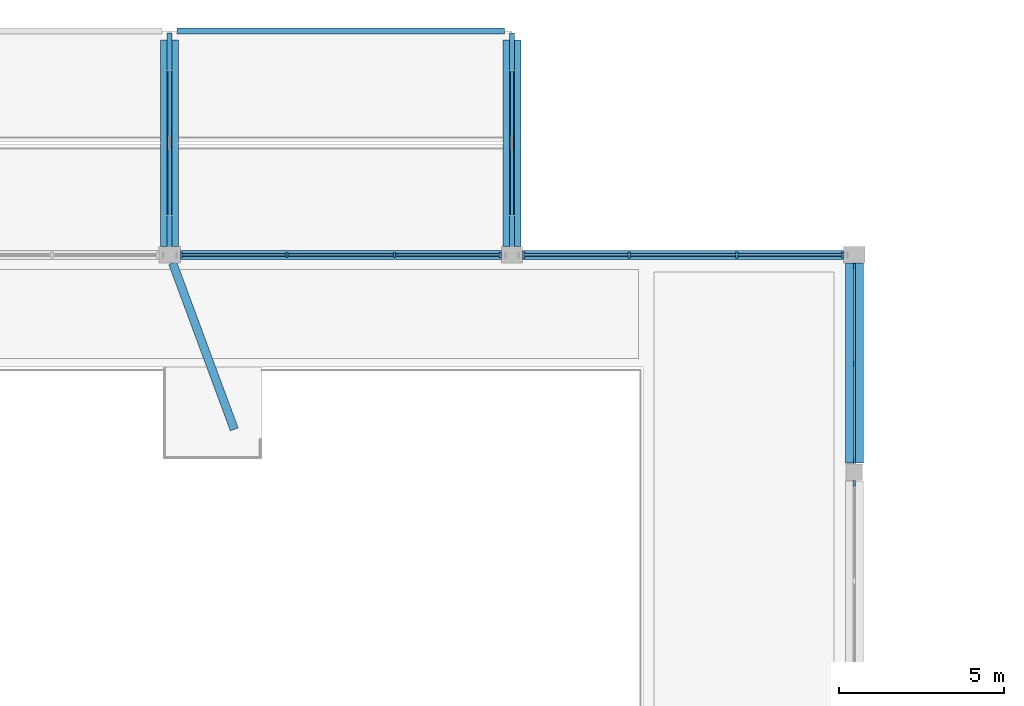
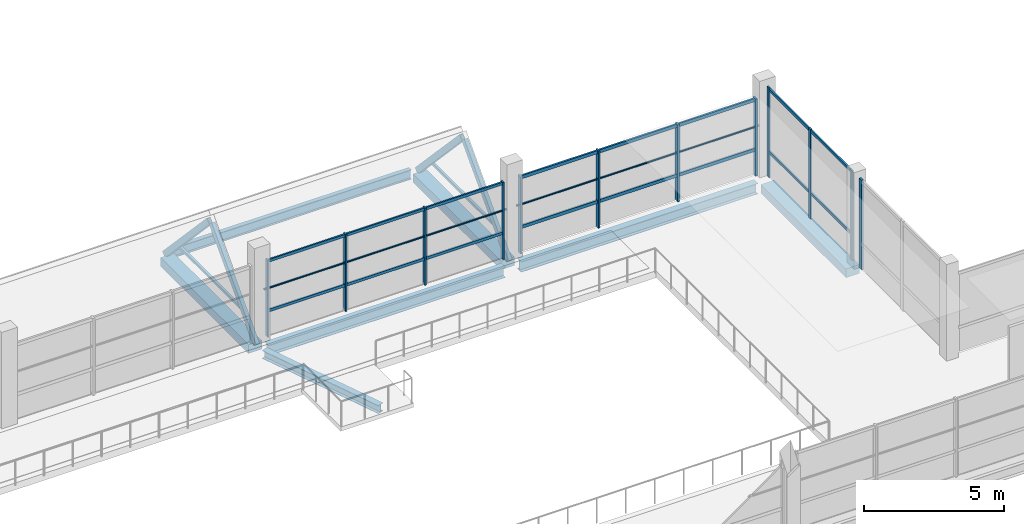
# One storey, part 20 of 85: 26 members, 7 beams, 4 elements without a shape of their own.
"""IFC4 building model written with IfcOpenShell, lengths in metres."""

from ifc_helpers import new_model, si_unit, derived_unit, direction, frame, origin, origin_2d, place, context, subcontext, project, spatial, rectangle, hollow_rectangle, hollow_circle, i_section, extrude, material, material_profile, profile_set, type_object, element, aggregate, save


model = new_model("IFC4")

# Units and contexts
model_context = context("Model", 3, precision=1e-05, world=origin(), true_north=direction((0.0, 1.0)))
body_context = subcontext(model_context, "Body", "Model", "MODEL_VIEW")
ifc_project = project(units=[si_unit("LENGTHUNIT", "METRE"), si_unit("AREAUNIT", "SQUARE_METRE"), si_unit("VOLUMEUNIT", "CUBIC_METRE"), si_unit("PLANEANGLEUNIT", "RADIAN"), si_unit("MASSUNIT", "GRAM", prefix="KILO"), derived_unit("THERMALTRANSMITTANCEUNIT", [(si_unit("POWERUNIT", "WATT"), 1), (si_unit("LENGTHUNIT", "METRE"), -2), (si_unit("THERMODYNAMICTEMPERATUREUNIT", "KELVIN"), -1)])], contexts=[model_context])

# Site, building, storey
site_placement = place(None, origin())
site = spatial("IfcSite", under=ifc_project, at=site_placement, CompositionType="ELEMENT")
building_placement = place(site_placement, origin())
building = spatial("IfcBuilding", under=site, at=building_placement, Name="Braskholm Square Health Centre", CompositionType="ELEMENT")
storey_placement = place(building_placement, frame((0.0, 0.0, 9.300048828125)))
storey = spatial("IfcBuildingStorey", under=building, at=storey_placement, Name="L03", CompositionType="ELEMENT", Elevation=9.300048828125)

# Members
ifc_material_1 = material(Name="Steel ASTM A500 Grade C", Category="steel")
ifc_material_profile_1 = material_profile(ifc_material_1, hollow_circle(Radius=0.04443359375, WallThickness=0.005126953125, at=origin_2d()), Name="HSS3.500X0.216")
ifc_profile_set_1 = profile_set([ifc_material_profile_1], Name="Steel ASTM A500 Grade C")
member_type_1 = type_object("IfcMemberType", Name="ClerestoryGirtStrutCHS89", PredefinedType="STRUT", material=ifc_profile_set_1)
for number, where, z_axis, x_axis, name in (
    (1, (99.81005859375, 107.0, 2.099853515625), (1.0, 0.0, 0.0), (0.0, 1.0, 0.0), "Waiting Hall high clerestory girt Bay 6"),
    (2, (110.2099609375, 107.0, 2.099853515625), (1.0, 0.0, 0.0), (0.0, 1.0, 0.0), "Waiting Hall high clerestory girt Bay 7"),
):
    element("IfcMember", number, at=place(storey_placement, frame(where, z_axis=z_axis, x_axis=x_axis)), inside=storey, type_object=member_type_1, Name=name, PredefinedType="STRUT", context=body_context, shape_type="SweptSolid", body=[
        extrude(hollow_circle(Radius=0.04443359375, WallThickness=0.005126953125, at=origin_2d()), origin(), (0.0, 0.0, 1.0), 9.97998046875),
    ])
ifc_material_profile_2 = material_profile(ifc_material_1, hollow_rectangle(XDim=0.15234375, YDim=0.25390625, WallThickness=0.0087890625, at=origin_2d()), Name="HSS10X6X3/8")
ifc_profile_set_2 = profile_set([ifc_material_profile_2], Name="Steel ASTM A500 Grade C")
member_type_2 = type_object("IfcMemberType", Name="ConservatoryChordHSS10X6", PredefinedType="CHORD", material=ifc_profile_set_2)
member_1_placement = place(storey_placement, frame((99.60009765625, 107.14990234375, -0.320068359375), z_axis=(0.0, 0.685168810037, 0.728384309107), x_axis=(-1.0, 0.0, 0.0)))
element("IfcMember", 3, at=member_1_placement, inside=storey, type_object=member_type_2, Name="ROOF TRUSS Conservatory south rafter 05", PredefinedType="CHORD", context=body_context, shape_type="SweptSolid", body=[
    extrude(hollow_rectangle(XDim=0.15234375, YDim=0.25390625, WallThickness=0.0087890625, at=origin_2d()), origin(), (0.0, 0.0, 1.0), 4.626953125),
])
member_2_placement = place(storey_placement, frame((99.60009765625, 113.64990234375, -0.320068359375), z_axis=(0.0, -0.685140813756, 0.728410643337), x_axis=(1.0, 0.0, 0.0)))
element("IfcMember", 4, at=member_2_placement, inside=storey, type_object=member_type_2, Name="ROOF TRUSS Conservatory north rafter 05", PredefinedType="CHORD", context=body_context, shape_type="SweptSolid", body=[
    extrude(hollow_rectangle(XDim=0.15234375, YDim=0.25390625, WallThickness=0.0087890625, at=origin_2d()), origin(), (0.0, 0.0, 1.0), 4.626708984375),
])
member_3_placement = place(storey_placement, frame((110.0, 107.14990234375, -0.320068359375), z_axis=(0.0, 0.685168810037, 0.728384309107), x_axis=(-1.0, 0.0, 0.0)))
element("IfcMember", 5, at=member_3_placement, inside=storey, type_object=member_type_2, Name="ROOF TRUSS Conservatory south rafter 06", PredefinedType="CHORD", context=body_context, shape_type="SweptSolid", body=[
    extrude(hollow_rectangle(XDim=0.15234375, YDim=0.25390625, WallThickness=0.0087890625, at=origin_2d()), origin(), (0.0, 0.0, 1.0), 4.626953125),
])
member_4_placement = place(storey_placement, frame((110.0, 113.64990234375, -0.320068359375), z_axis=(0.0, -0.685140813756, 0.728410643337), x_axis=(1.0, 0.0, 0.0)))
element("IfcMember", 6, at=member_4_placement, inside=storey, type_object=member_type_2, Name="ROOF TRUSS Conservatory north rafter 06", PredefinedType="CHORD", context=body_context, shape_type="SweptSolid", body=[
    extrude(hollow_rectangle(XDim=0.15234375, YDim=0.25390625, WallThickness=0.0087890625, at=origin_2d()), origin(), (0.0, 0.0, 1.0), 4.626708984375),
])
ifc_material_profile_3 = material_profile(ifc_material_1, hollow_rectangle(XDim=0.1015625, YDim=0.1015625, WallThickness=0.005859375, at=origin_2d()), Name="HSS4X4X1/4")
ifc_profile_set_3 = profile_set([ifc_material_profile_3], Name="Steel ASTM A500 Grade C")
member_type_3 = type_object("IfcMemberType", Name="ConservatoryRafterStrutHSS4X4", PredefinedType="STRUT", material=ifc_profile_set_3)
for number, where, z_axis, x_axis, name in (
    (7, (99.60009765625, 108.199951171875, 0.619873046875), (0.0, 1.0, 0.0), (-1.0, 0.0, 0.0), "ROOF TRUSS Conservatory collar strut 05"),
    (8, (110.0, 108.199951171875, 0.619873046875), (0.0, 1.0, 0.0), (-1.0, 0.0, 0.0), "ROOF TRUSS Conservatory collar strut 06"),
):
    element("IfcMember", number, at=place(storey_placement, frame(where, z_axis=z_axis, x_axis=x_axis)), inside=storey, type_object=member_type_3, Name=name, PredefinedType="STRUT", context=body_context, shape_type="SweptSolid", body=[
        extrude(hollow_rectangle(XDim=0.1015625, YDim=0.1015625, WallThickness=0.005859375, at=origin_2d()), origin(), (0.0, 0.0, 1.0), 4.400146484375),
    ])

# Curtain wall, members
ifc_material_2 = material(Name="Low-E triple insulating glass (VLT 0.64)", Category="glass")
curtain_wall_type_1 = type_object("IfcCurtainWallType", Name="UnitisedCurtainWall6200x3800", PredefinedType="NOTDEFINED", material=ifc_material_2)
curtain_wall_1_placement = place(storey_placement, origin())
curtain_wall_1 = element("IfcCurtainWall", 9, at=curtain_wall_1_placement, inside=storey, type_object=curtain_wall_type_1, Name="Hall Cheek L03 unitised curtain wall CW-L03-0228", PredefinedType="NOTDEFINED")
ifc_material_3 = material(Name="Architectural bronze anodised aluminium", Category="aluminium")
ifc_material_profile_4 = material_profile(ifc_material_3, rectangle(XDim=0.06494140625, YDim=0.14990234375, at=origin_2d()), Name="ALU-65X150")
ifc_profile_set_4 = profile_set([ifc_material_profile_4], Name="Architectural bronze anodised aluminium")
member_type_4 = type_object("IfcMemberType", Name="CurtainWallMullion65x150", PredefinedType="MULLION", material=ifc_profile_set_4)
member_5_placement = place(storey_placement, frame((120.39990234375, 100.736083984375, 0.0), z_axis=(0.0, 0.0, 1.0), x_axis=(1.0, 0.0, 0.0)))
member_5 = element("IfcMember", 10, at=member_5_placement, type_object=member_type_4, Name="CW-L03-0228 vertical mullion 1", PredefinedType="MULLION", context=body_context, shape_type="SweptSolid", body=[
    extrude(rectangle(XDim=0.06494140625, YDim=0.14990234375, at=origin_2d()), origin(), (0.0, 0.0, 1.0), 3.89990234375),
])
member_6_placement = place(storey_placement, frame((120.39990234375, 103.699951171875, 0.0), z_axis=(0.0, 0.0, 1.0), x_axis=(1.0, 0.0, 0.0)))
member_6 = element("IfcMember", 11, at=member_6_placement, type_object=member_type_4, Name="CW-L03-0228 vertical mullion 2", PredefinedType="MULLION", context=body_context, shape_type="SweptSolid", body=[
    extrude(rectangle(XDim=0.06494140625, YDim=0.14990234375, at=origin_2d()), origin(), (0.0, 0.0, 1.0), 3.89990234375),
])
member_7_placement = place(storey_placement, frame((120.39990234375, 106.6640625, 0.0), z_axis=(0.0, 0.0, 1.0), x_axis=(1.0, 0.0, 0.0)))
member_7 = element("IfcMember", 12, at=member_7_placement, type_object=member_type_4, Name="CW-L03-0228 vertical mullion 3", PredefinedType="MULLION", context=body_context, shape_type="SweptSolid", body=[
    extrude(rectangle(XDim=0.06494140625, YDim=0.14990234375, at=origin_2d()), origin(), (0.0, 0.0, 1.0), 3.89990234375),
])

curtain_wall_type_2 = type_object("IfcCurtainWallType", Name="UnitisedCurtainWall6200x3650", PredefinedType="NOTDEFINED", material=ifc_material_2)
curtain_wall_2_placement = place(storey_placement, origin())
curtain_wall_2 = element("IfcCurtainWall", 13, at=curtain_wall_2_placement, inside=storey, type_object=curtain_wall_type_2, Name="Hall North Clerestory unitised curtain wall CW-L03-0234", PredefinedType="NOTDEFINED")
member_8_placement = place(storey_placement, frame((109.64111328125, 107.0, 0.0), z_axis=(0.0, 0.0, 1.0), x_axis=(1.0, 0.0, 0.0)))
member_8 = element("IfcMember", 14, at=member_8_placement, type_object=member_type_4, Name="CW-L03-0234 vertical mullion 1", PredefinedType="MULLION", context=body_context, shape_type="SweptSolid", body=[
    extrude(rectangle(XDim=0.06494140625, YDim=0.14990234375, at=origin_2d()), origin(), (0.0, 0.0, 1.0), 3.35595703125),
])
member_9_placement = place(storey_placement, frame((106.433349609375, 107.0, 0.0), z_axis=(0.0, 0.0, 1.0), x_axis=(1.0, 0.0, 0.0)))
member_9 = element("IfcMember", 15, at=member_9_placement, type_object=member_type_4, Name="CW-L03-0234 vertical mullion 2", PredefinedType="MULLION", context=body_context, shape_type="SweptSolid", body=[
    extrude(rectangle(XDim=0.06494140625, YDim=0.14990234375, at=origin_2d()), origin(), (0.0, 0.0, 1.0), 3.35595703125),
])
member_10_placement = place(storey_placement, frame((103.166748046875, 107.0, 0.0), z_axis=(0.0, 0.0, 1.0), x_axis=(1.0, 0.0, 0.0)))
member_10 = element("IfcMember", 16, at=member_10_placement, type_object=member_type_4, Name="CW-L03-0234 vertical mullion 3", PredefinedType="MULLION", context=body_context, shape_type="SweptSolid", body=[
    extrude(rectangle(XDim=0.06494140625, YDim=0.14990234375, at=origin_2d()), origin(), (0.0, 0.0, 1.0), 3.35595703125),
])
member_11_placement = place(storey_placement, frame((99.958740234375, 107.0, 0.0), z_axis=(0.0, 0.0, 1.0), x_axis=(1.0, 0.0, 0.0)))
member_11 = element("IfcMember", 17, at=member_11_placement, type_object=member_type_4, Name="CW-L03-0234 vertical mullion 4", PredefinedType="MULLION", context=body_context, shape_type="SweptSolid", body=[
    extrude(rectangle(XDim=0.06494140625, YDim=0.14990234375, at=origin_2d()), origin(), (0.0, 0.0, 1.0), 3.35595703125),
])

# Curtain wall, member
curtain_wall_3_placement = place(storey_placement, origin())
curtain_wall_3 = element("IfcCurtainWall", 18, at=curtain_wall_3_placement, inside=storey, type_object=curtain_wall_type_1, Name="Hall Cheek L03 unitised curtain wall CW-L03-0227", PredefinedType="NOTDEFINED")
ifc_material_profile_5 = material_profile(ifc_material_3, rectangle(XDim=0.074951171875, YDim=0.179931640625, at=origin_2d()), Name="ALU-75X180")
ifc_profile_set_5 = profile_set([ifc_material_profile_5], Name="Architectural bronze anodised aluminium")
member_type_5 = type_object("IfcMemberType", Name="CurtainWallMullion75x180", PredefinedType="MULLION", material=ifc_profile_set_5)
member_12_placement = place(storey_placement, frame((120.39990234375, 100.06396484375, 0.0), z_axis=(0.0, 0.0, 1.0), x_axis=(1.0, 0.0, 0.0)))
member_12 = element("IfcMember", 19, at=member_12_placement, type_object=member_type_5, Name="CW-L03-0227 vertical mullion 3", PredefinedType="MULLION", context=body_context, shape_type="SweptSolid", body=[
    extrude(rectangle(XDim=0.074951171875, YDim=0.179931640625, at=origin_2d()), origin(), (0.0, 0.0, 1.0), 3.89990234375),
])
aggregate(curtain_wall_3, [member_12])

# Curtain wall, members
curtain_wall_4_placement = place(storey_placement, origin())
curtain_wall_4 = element("IfcCurtainWall", 20, at=curtain_wall_4_placement, inside=storey, type_object=curtain_wall_type_2, Name="Hall North Clerestory unitised curtain wall CW-L03-0235", PredefinedType="NOTDEFINED")
member_13_placement = place(storey_placement, frame((120.041259765625, 107.0, 0.0), z_axis=(0.0, 0.0, 1.0), x_axis=(1.0, 0.0, 0.0)))
member_13 = element("IfcMember", 21, at=member_13_placement, type_object=member_type_5, Name="CW-L03-0235 vertical mullion 1", PredefinedType="MULLION", context=body_context, shape_type="SweptSolid", body=[
    extrude(rectangle(XDim=0.074951171875, YDim=0.179931640625, at=origin_2d()), origin(), (0.0, 0.0, 1.0), 3.35595703125),
])
member_14_placement = place(storey_placement, frame((116.833251953125, 107.0, 0.0), z_axis=(0.0, 0.0, 1.0), x_axis=(1.0, 0.0, 0.0)))
member_14 = element("IfcMember", 22, at=member_14_placement, type_object=member_type_5, Name="CW-L03-0235 vertical mullion 2", PredefinedType="MULLION", context=body_context, shape_type="SweptSolid", body=[
    extrude(rectangle(XDim=0.074951171875, YDim=0.179931640625, at=origin_2d()), origin(), (0.0, 0.0, 1.0), 3.35595703125),
])
member_15_placement = place(storey_placement, frame((113.566650390625, 107.0, 0.0), z_axis=(0.0, 0.0, 1.0), x_axis=(1.0, 0.0, 0.0)))
member_15 = element("IfcMember", 23, at=member_15_placement, type_object=member_type_5, Name="CW-L03-0235 vertical mullion 3", PredefinedType="MULLION", context=body_context, shape_type="SweptSolid", body=[
    extrude(rectangle(XDim=0.074951171875, YDim=0.179931640625, at=origin_2d()), origin(), (0.0, 0.0, 1.0), 3.35595703125),
])
member_16_placement = place(storey_placement, frame((110.35888671875, 107.0, 0.0), z_axis=(0.0, 0.0, 1.0), x_axis=(1.0, 0.0, 0.0)))
member_16 = element("IfcMember", 24, at=member_16_placement, type_object=member_type_5, Name="CW-L03-0235 vertical mullion 4", PredefinedType="MULLION", context=body_context, shape_type="SweptSolid", body=[
    extrude(rectangle(XDim=0.074951171875, YDim=0.179931640625, at=origin_2d()), origin(), (0.0, 0.0, 1.0), 3.35595703125),
])

# Member
ifc_material_profile_6 = material_profile(ifc_material_3, rectangle(XDim=0.06494140625, YDim=0.1201171875, at=origin_2d()), Name="ALU-65X120")
ifc_profile_set_6 = profile_set([ifc_material_profile_6], Name="Architectural bronze anodised aluminium")
member_type_6 = type_object("IfcMemberType", Name="CurtainWallTransom65x120", PredefinedType="USERDEFINED", material=ifc_profile_set_6)
member_17_placement = place(storey_placement, frame((120.39990234375, 100.7451171875, 1.119873046875), z_axis=(0.0, 1.0, 0.0), x_axis=(-1.0, 0.0, 0.0)))
member_17 = element("IfcMember", 25, at=member_17_placement, type_object=member_type_6, Name="CW-L03-0228 horizontal transom 1", ObjectType="TRANSOM", PredefinedType="USERDEFINED", context=body_context, shape_type="SweptSolid", body=[
    extrude(rectangle(XDim=0.06494140625, YDim=0.1201171875, at=origin_2d()), origin(), (0.0, 0.0, 1.0), 5.909912109375),
])

member_18_placement = place(storey_placement, frame((120.39990234375, 100.7451171875, 3.829833984375), z_axis=(0.0, 1.0, 0.0), x_axis=(-1.0, 0.0, 0.0)))
member_18 = element("IfcMember", 26, at=member_18_placement, type_object=member_type_6, Name="CW-L03-0228 horizontal transom 2", ObjectType="TRANSOM", PredefinedType="USERDEFINED", context=body_context, shape_type="SweptSolid", body=[
    extrude(rectangle(XDim=0.06494140625, YDim=0.1201171875, at=origin_2d()), origin(), (0.0, 0.0, 1.0), 5.909912109375),
])

aggregate(curtain_wall_1, [member_5, member_6, member_7, member_17, member_18])

member_19_placement = place(storey_placement, frame((109.655029296875, 107.0, 1.119873046875), z_axis=(-1.0, 0.0, 0.0), x_axis=(0.0, -1.0, 0.0)))
member_19 = element("IfcMember", 27, at=member_19_placement, type_object=member_type_6, Name="CW-L03-0234 horizontal transom 1", ObjectType="TRANSOM", PredefinedType="USERDEFINED", context=body_context, shape_type="SweptSolid", body=[
    extrude(rectangle(XDim=0.06494140625, YDim=0.1201171875, at=origin_2d()), origin(), (0.0, 0.0, 1.0), 9.7099609375),
])

member_20_placement = place(storey_placement, frame((109.655029296875, 107.0, 3.285888671875), z_axis=(-1.0, 0.0, 0.0), x_axis=(0.0, -1.0, 0.0)))
member_20 = element("IfcMember", 28, at=member_20_placement, type_object=member_type_6, Name="CW-L03-0234 horizontal transom 2", ObjectType="TRANSOM", PredefinedType="USERDEFINED", context=body_context, shape_type="SweptSolid", body=[
    extrude(rectangle(XDim=0.06494140625, YDim=0.1201171875, at=origin_2d()), origin(), (0.0, 0.0, 1.0), 9.7099609375),
])

aggregate(curtain_wall_2, [member_8, member_9, member_10, member_11, member_19, member_20])

ifc_material_profile_7 = material_profile(ifc_material_3, rectangle(XDim=0.074951171875, YDim=0.139892578125, at=origin_2d()), Name="ALU-75X140")
ifc_profile_set_7 = profile_set([ifc_material_profile_7], Name="Architectural bronze anodised aluminium")
member_type_7 = type_object("IfcMemberType", Name="CurtainWallTransom75x140", PredefinedType="USERDEFINED", material=ifc_profile_set_7)
member_21_placement = place(storey_placement, frame((120.054931640625, 107.0, 1.119873046875), z_axis=(-1.0, 0.0, 0.0), x_axis=(0.0, -1.0, 0.0)))
member_21 = element("IfcMember", 29, at=member_21_placement, type_object=member_type_7, Name="CW-L03-0235 horizontal transom 1", ObjectType="TRANSOM", PredefinedType="USERDEFINED", context=body_context, shape_type="SweptSolid", body=[
    extrude(rectangle(XDim=0.074951171875, YDim=0.139892578125, at=origin_2d()), origin(), (0.0, 0.0, 1.0), 9.7099609375),
])

member_22_placement = place(storey_placement, frame((120.054931640625, 107.0, 3.285888671875), z_axis=(-1.0, 0.0, 0.0), x_axis=(0.0, -1.0, 0.0)))
member_22 = element("IfcMember", 30, at=member_22_placement, type_object=member_type_7, Name="CW-L03-0235 horizontal transom 2", ObjectType="TRANSOM", PredefinedType="USERDEFINED", context=body_context, shape_type="SweptSolid", body=[
    extrude(rectangle(XDim=0.074951171875, YDim=0.139892578125, at=origin_2d()), origin(), (0.0, 0.0, 1.0), 9.7099609375),
])

aggregate(curtain_wall_4, [member_13, member_14, member_15, member_16, member_21, member_22])

# Beams
ifc_material_4 = material(Name="Concrete C35/45 (f'c = 35 MPa)", Category="concrete")
ifc_material_profile_8 = material_profile(ifc_material_4, rectangle(XDim=0.550048828125, YDim=0.3798828125, at=origin_2d()), Name="RCB-550X380")
ifc_profile_set_8 = profile_set([ifc_material_profile_8], Name="Concrete C35/45 (f'c = 35 MPa)")
beam_type_1 = type_object("IfcBeamType", Name="PrimaryBandBeam550x380", PredefinedType="BEAM", material=ifc_profile_set_8)
for number, where, z_axis, x_axis, name in (
    (31, (99.60009765625, 107.25, -0.489990234375), (0.0, 1.0, 0.0), (-1.0, 0.0, 0.0), "Beam 13/R-S L03"),
    (32, (110.0, 107.25, -0.489990234375), (0.0, 1.0, 0.0), (-1.0, 0.0, 0.0), "Beam 14/R-S L03"),
):
    element("IfcBeam", number, at=place(storey_placement, frame(where, z_axis=z_axis, x_axis=x_axis)), inside=storey, type_object=beam_type_1, Name=name, PredefinedType="BEAM", context=body_context, shape_type="SweptSolid", body=[
        extrude(rectangle(XDim=0.550048828125, YDim=0.3798828125, at=origin_2d()), origin(), (0.0, 0.0, 1.0), 6.27001953125),
    ])
beam_1_placement = place(storey_placement, frame((120.39990234375, 100.675048828125, -0.489990234375), z_axis=(0.0, 1.0, 0.0), x_axis=(-1.0, 0.0, 0.0)))
element("IfcBeam", 33, at=beam_1_placement, inside=storey, type_object=beam_type_1, Name="Beam 15/Q-R L03", PredefinedType="BEAM", context=body_context, shape_type="SweptSolid", body=[
    extrude(rectangle(XDim=0.550048828125, YDim=0.3798828125, at=origin_2d()), origin(), (0.0, 0.0, 1.0), 6.074951171875),
])
ifc_material_5 = material(Name="Steel ASTM A992 Grade 50", Category="steel")
ifc_material_profile_9 = material_profile(ifc_material_5, i_section(OverallWidth=0.2548828125, OverallDepth=0.35693359375, WebThickness=0.010498046875, FlangeThickness=0.018310546875, at=origin_2d()), Name="W14X68")
ifc_profile_set_9 = profile_set([ifc_material_profile_9], Name="Steel ASTM A992 Grade 50")
beam_type_2 = type_object("IfcBeamType", Name="SteelBeamCanopyW14X68", PredefinedType="BEAM", material=ifc_profile_set_9)
beam_2_placement = place(storey_placement, frame((101.56298828125, 101.69970703125, -0.478515625), z_axis=(-0.347296645068, 0.937755320073, 0.0), x_axis=(-0.937755320073, -0.347296645068, 0.0)))
element("IfcBeam", 34, at=beam_2_placement, inside=storey, type_object=beam_type_2, Name="Tie beam CS3K L03", PredefinedType="BEAM", context=body_context, shape_type="SweptSolid", body=[
    extrude(i_section(OverallWidth=0.2548828125, OverallDepth=0.35693359375, WebThickness=0.010498046875, FlangeThickness=0.018310546875, at=origin_2d()), origin(), (0.0, 0.0, 1.0), 5.3876953125),
])
ifc_material_profile_10 = material_profile(ifc_material_5, i_section(OverallWidth=0.179931640625, OverallDepth=0.4130859375, WebThickness=0.009765625, FlangeThickness=0.01611328125, at=origin_2d()), Name="W16X50")
ifc_profile_set_10 = profile_set([ifc_material_profile_10], Name="Steel ASTM A992 Grade 50")
beam_type_3 = type_object("IfcBeamType", Name="SteelBeamConservatoryW16X50", PredefinedType="BEAM", material=ifc_profile_set_10)
beam_3_placement = place(storey_placement, frame((99.830078125, 113.800048828125, -0.45654296875), z_axis=(1.0, 0.0, 0.0), x_axis=(0.0, 1.0, 0.0)))
element("IfcBeam", 35, at=beam_3_placement, inside=storey, type_object=beam_type_3, Name="Beam 13-14/S L03", PredefinedType="BEAM", context=body_context, shape_type="SweptSolid", body=[
    extrude(i_section(OverallWidth=0.179931640625, OverallDepth=0.4130859375, WebThickness=0.009765625, FlangeThickness=0.01611328125, at=origin_2d()), origin(), (0.0, 0.0, 1.0), 9.93994140625),
])
ifc_material_profile_11 = material_profile(ifc_material_5, i_section(OverallWidth=0.280029296875, OverallDepth=0.462890625, WebThickness=0.0107421875, FlangeThickness=0.017333984375, at=origin_2d()), Name="W18X76")
ifc_profile_set_11 = profile_set([ifc_material_profile_11], Name="Steel ASTM A992 Grade 50")
beam_type_4 = type_object("IfcBeamType", Name="SteelGirderGalleryW18X76", PredefinedType="BEAM", material=ifc_profile_set_11)
for number, where, z_axis, x_axis, name in (
    (36, (99.925048828125, 107.0, -0.531494140625), (1.0, 0.0, 0.0), (0.0, 1.0, 0.0), "Beam 13-14/R L03"),
    (37, (110.324951171875, 107.0, -0.531494140625), (1.0, 0.0, 0.0), (0.0, 1.0, 0.0), "Beam 14-15/R L03"),
):
    element("IfcBeam", number, at=place(storey_placement, frame(where, z_axis=z_axis, x_axis=x_axis)), inside=storey, type_object=beam_type_4, Name=name, PredefinedType="BEAM", context=body_context, shape_type="SweptSolid", body=[
        extrude(i_section(OverallWidth=0.280029296875, OverallDepth=0.462890625, WebThickness=0.0107421875, FlangeThickness=0.017333984375, at=origin_2d()), origin(), (0.0, 0.0, 1.0), 9.75),
    ])

save(model, "model.ifc")
